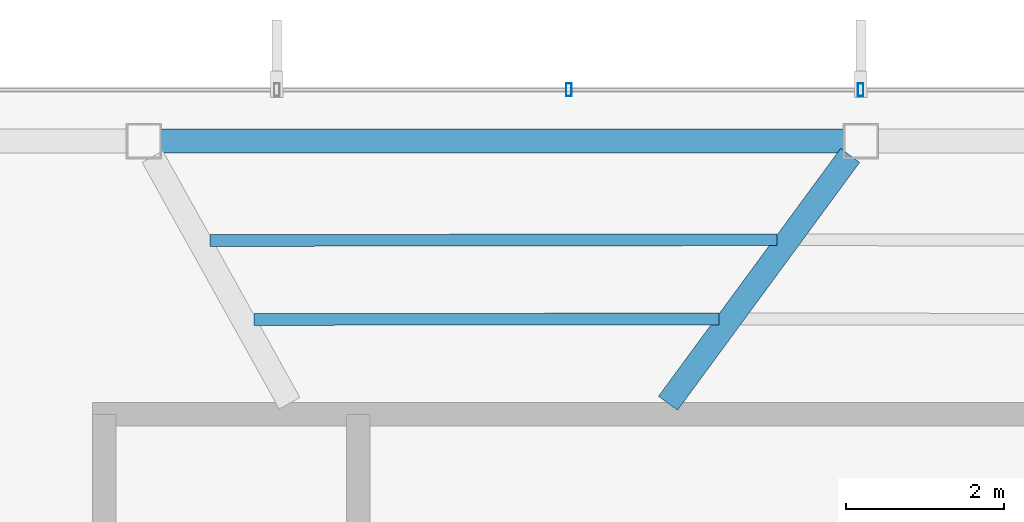
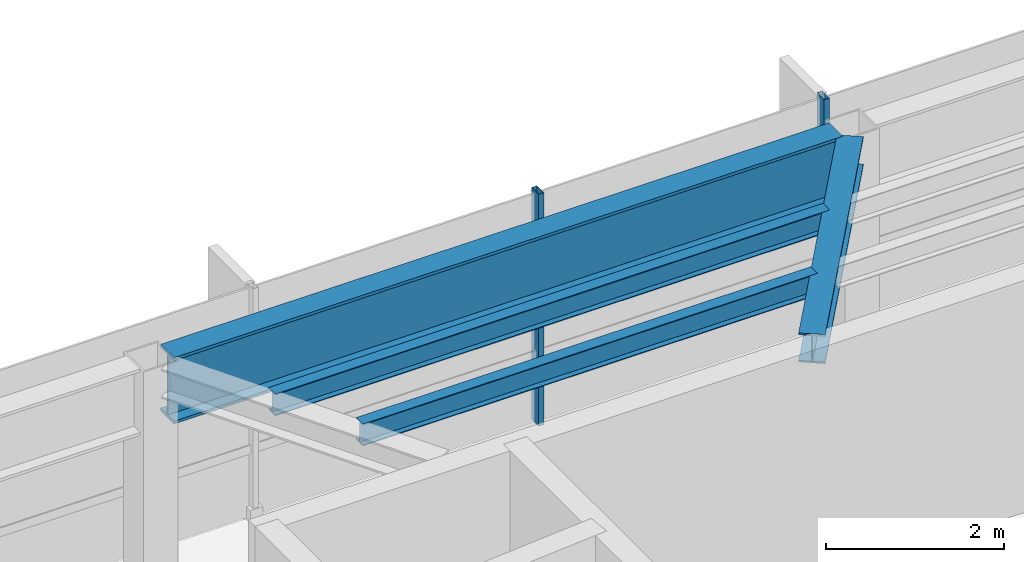
# One storey, part 12 of 22: 4 beams, 2 members, 1 element without a shape of its own.
"""IFC4 building model written with IfcOpenShell, lengths in metres."""

from ifc_helpers import new_model, si_unit, direction, frame, origin, origin_2d, place, context, subcontext, project, spatial, hollow_rectangle, i_section, extrude, material, layer, layer_set, material_profile, profile_set, type_object, element, aggregate, save


model = new_model("IFC4")

# Units and contexts
model_context = context("Model", 3, precision=1e-05, world=origin(), true_north=direction((0.0, 1.0)))
body_context = subcontext(model_context, "Body", "Model", "MODEL_VIEW")
ifc_project = project(units=[si_unit("LENGTHUNIT", "METRE"), si_unit("AREAUNIT", "SQUARE_METRE"), si_unit("VOLUMEUNIT", "CUBIC_METRE"), si_unit("PLANEANGLEUNIT", "RADIAN"), si_unit("MASSUNIT", "GRAM", prefix="KILO")], contexts=[model_context])

# Site, building, storey
site_placement = place(None, origin())
site = spatial("IfcSite", under=ifc_project, at=site_placement, CompositionType="ELEMENT")
building_placement = place(site_placement, origin())
building = spatial("IfcBuilding", under=site, at=building_placement, Name="Zarrinselat Tower", CompositionType="ELEMENT")
storey_placement = place(building_placement, frame((0.0, 0.0, 292.39990234375)))
storey = spatial("IfcBuildingStorey", under=building, at=storey_placement, Name="L75", CompositionType="ELEMENT", Elevation=292.39990234375)

# Beams
ifc_material_1 = material(Name="Steel S355J2", Category="steel")
ifc_material_profile_1 = material_profile(ifc_material_1, i_section(OverallWidth=0.300048828125, OverallDepth=0.39990234375, WebThickness=0.013427734375, FlangeThickness=0.02392578125, at=origin_2d()), Name="HEB 400")
ifc_profile_set_1 = profile_set([ifc_material_profile_1], Name="Steel S355J2")
beam_type_1 = type_object("IfcBeamType", Name="BM-HEB400", PredefinedType="BEAM", material=ifc_profile_set_1)
beam_1_placement = place(storey_placement, frame((35.800048828125, 43.5400390625, 2.97998046875), z_axis=(0.592293691828, 0.805722149764, 0.0), x_axis=(-0.805722149764, 0.592293691828, 0.0)))
element("IfcBeam", 1, at=beam_1_placement, inside=storey, type_object=beam_type_1, Name="L75 Radial Primary Girder RG03", PredefinedType="BEAM", context=body_context, shape_type="SweptSolid", body=[
    extrude(i_section(OverallWidth=0.300048828125, OverallDepth=0.39990234375, WebThickness=0.013427734375, FlangeThickness=0.02392578125, at=origin_2d()), origin(), (0.0, 0.0, 1.0), 3.90185546875),
])
ifc_material_2 = material(Name="Steel S460M", Category="steel")
ifc_material_profile_2 = material_profile(ifc_material_2, i_section(OverallWidth=0.302001953125, OverallDepth=0.909912109375, WebThickness=0.02099609375, FlangeThickness=0.0400390625, at=origin_2d()), Name="HEM 900")
ifc_profile_set_2 = profile_set([ifc_material_profile_2], Name="Steel S460M")
beam_type_2 = type_object("IfcBeamType", Name="BM-HEM900", PredefinedType="BEAM", material=ifc_profile_set_2)
beam_2_placement = place(storey_placement, frame((29.36328125, 46.86669921875, 2.72509765625), z_axis=(1.0, 0.0, 0.0), x_axis=(0.0, 1.0, 0.0)))
element("IfcBeam", 2, at=beam_2_placement, inside=storey, type_object=beam_type_2, Name="L75 Perimeter Spandrel Girder SP03", PredefinedType="BEAM", context=body_context, shape_type="SweptSolid", body=[
    extrude(i_section(OverallWidth=0.302001953125, OverallDepth=0.909912109375, WebThickness=0.02099609375, FlangeThickness=0.0400390625, at=origin_2d()), origin(), (0.0, 0.0, 1.0), 8.669189453125),
])
ifc_material_3 = material(Name="Steel S355J2", Category="steel")
ifc_material_profile_3 = material_profile(ifc_material_3, i_section(OverallWidth=0.14990234375, OverallDepth=0.300048828125, WebThickness=0.007080078125, FlangeThickness=0.0107421875, at=origin_2d()), Name="IPE 300")
ifc_profile_set_3 = profile_set([ifc_material_profile_3], Name="Steel S355J2")
beam_type_3 = type_object("IfcBeamType", Name="BM-IPE300", PredefinedType="JOIST", material=ifc_profile_set_3)
beam_3_placement = place(storey_placement, frame((29.991943359375, 45.60498046875, 3.030029296875), z_axis=(0.999999078477, 0.001357587671, 0.0), x_axis=(-0.001357587671, 0.999999078477, 0.0)))
element("IfcBeam", 3, at=beam_3_placement, inside=storey, type_object=beam_type_3, Name="L75 Composite Floor Joist 8-1", PredefinedType="JOIST", context=body_context, shape_type="SweptSolid", body=[
    extrude(i_section(OverallWidth=0.14990234375, OverallDepth=0.300048828125, WebThickness=0.007080078125, FlangeThickness=0.0107421875, at=origin_2d()), origin(), (0.0, 0.0, 1.0), 7.193359375),
])
beam_4_placement = place(storey_placement, frame((30.548583984375, 44.603759765625, 3.030029296875), z_axis=(0.999999622085, 0.000869384892, 0.0), x_axis=(-0.000869384892, 0.999999622085, 0.0)))
element("IfcBeam", 4, at=beam_4_placement, inside=storey, type_object=beam_type_3, Name="L75 Composite Floor Joist 8-2", PredefinedType="JOIST", context=body_context, shape_type="SweptSolid", body=[
    extrude(i_section(OverallWidth=0.14990234375, OverallDepth=0.300048828125, WebThickness=0.007080078125, FlangeThickness=0.0107421875, at=origin_2d()), origin(), (0.0, 0.0, 1.0), 5.897216796875),
])

# Curtain wall, members
ifc_material_4 = material(Name="Extruded Aluminium Alloy EN AW-6063 T6", Category="aluminium")
ifc_layer = layer(ifc_material_4, 0.169921875)
ifc_layer_set = layer_set([ifc_layer], Name="Extruded Aluminium Alloy EN AW-6063 T6")
curtain_wall_type = type_object("IfcCurtainWallType", Name="CWS-RES", PredefinedType="NOTDEFINED", material=ifc_layer_set)
curtain_wall_placement = place(storey_placement, origin())
curtain_wall = element("IfcCurtainWall", 5, at=curtain_wall_placement, inside=storey, type_object=curtain_wall_type, Name="L75 Unitised Curtain Wall CW-L75-E01", PredefinedType="NOTDEFINED")
ifc_material_5 = material(Name="Extruded Aluminium Alloy EN AW-6063 T6", Category="aluminium")
ifc_material_profile_4 = material_profile(ifc_material_5, hollow_rectangle(XDim=0.070068359375, YDim=0.159912109375, WallThickness=0.00390625, at=origin_2d()), Name="RHS 160x70x4")
ifc_profile_set_4 = profile_set([ifc_material_profile_4], Name="Extruded Aluminium Alloy EN AW-6063 T6")
member_type = type_object("IfcMemberType", Name="MEM-CW-MUL2", PredefinedType="MULLION", material=ifc_profile_set_4)
member_1_placement = place(storey_placement, frame((38.244140625, 47.5166015625, 0.0), z_axis=(0.0, 0.0, 1.0), x_axis=(-1.0, 0.0, 0.0)))
member_1 = element("IfcMember", 6, at=member_1_placement, type_object=member_type, Name="CW-L75-E01 Mullion 5", PredefinedType="MULLION", context=body_context, shape_type="SweptSolid", body=[
    extrude(hollow_rectangle(XDim=0.070068359375, YDim=0.159912109375, WallThickness=0.00390625, at=origin_2d()), origin(), (0.0, 0.0, 1.0), 3.18017578125),
])
member_2_placement = place(storey_placement, frame((34.54150390625, 47.5166015625, 0.0), z_axis=(0.0, 0.0, 1.0), x_axis=(-1.0, 0.0, 0.0)))
member_2 = element("IfcMember", 7, at=member_2_placement, type_object=member_type, Name="CW-L75-E01 Mullion 6", PredefinedType="MULLION", context=body_context, shape_type="SweptSolid", body=[
    extrude(hollow_rectangle(XDim=0.070068359375, YDim=0.159912109375, WallThickness=0.00390625, at=origin_2d()), origin(), (0.0, 0.0, 1.0), 3.18017578125),
])
aggregate(curtain_wall, [member_1, member_2])

save(model, "model.ifc")
